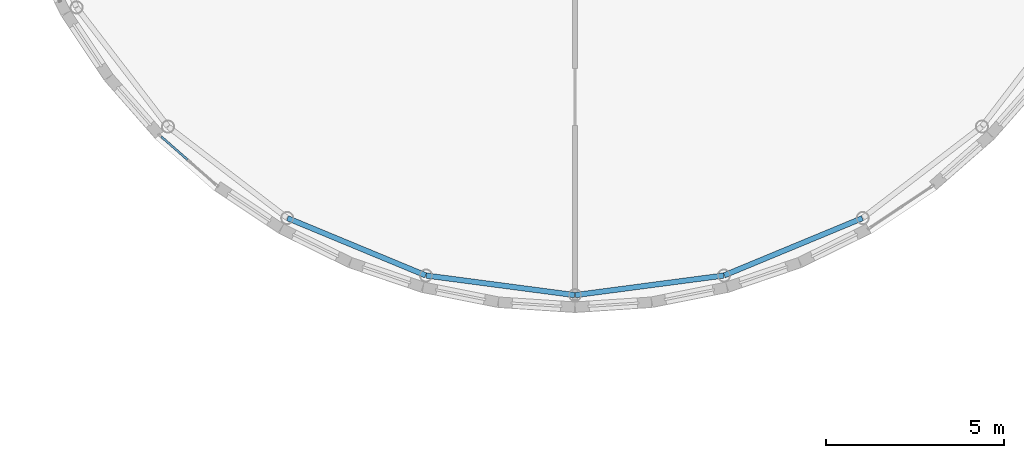
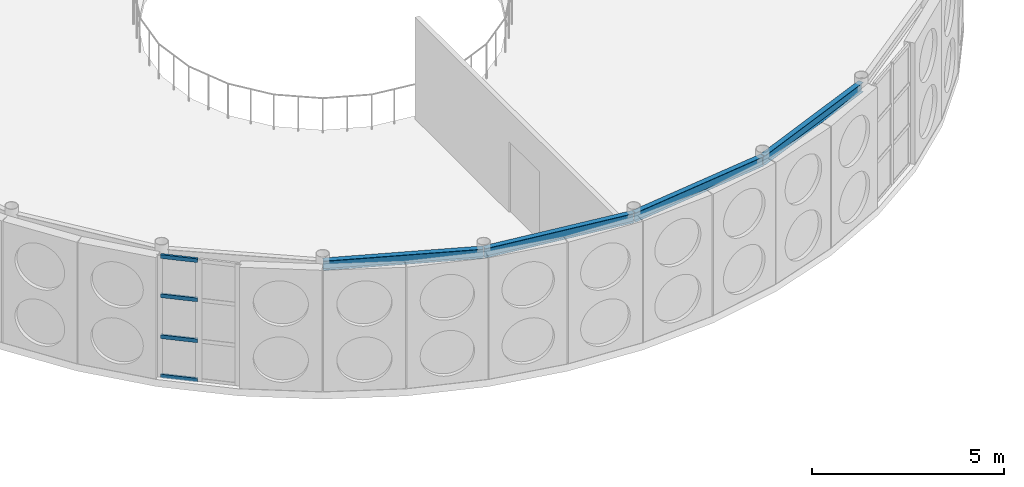
# One storey, part 48 of 165: 4 beams, 4 members, 1 element without a shape of its own.
"""IFC4 building model written with IfcOpenShell, lengths in metres."""

import ifcopenshell
import ifcopenshell.guid

model = None  # the IFC model being written
_history = None  # IfcOwnerHistory: only IFC2X3 demands one
_inside = {}  # id of a spatial element -> (the spatial element, [elements in it])
_under = {}  # id of a project, library or spatial element -> (it, [spatial elements below it])
_declared = {}  # id of a project -> (the project, [libraries it declares])
_typed = {}  # id of a type object -> (the type object, [elements of that type])
_made_of = {}  # id of a material, layer set ... -> (it, [elements and type objects made of it])


def new_model(schema):
    """Start an empty IFC model of exactly this schema.

    Asked for "IFC4X3", IfcOpenShell would pick the latest addendum, in which some entities
    have other attributes; the version numbers below select the first issue.
    IFC2X3 requires an IfcOwnerHistory on every rooted entity: one is made here for all.
    """
    global model, _history
    if schema == "IFC4X3":
        model = ifcopenshell.file(schema_version=(4, 3, 0, 0))
    else:
        model = ifcopenshell.file(schema=schema)
    _inside.clear()
    _under.clear()
    _declared.clear()
    _typed.clear()
    _made_of.clear()
    _history = None
    if model.schema == "IFC2X3":
        org = make("IfcOrganization", Name="unknown")
        user = make(
            "IfcPersonAndOrganization",
            ThePerson=make("IfcPerson", FamilyName="unknown"),
            TheOrganization=org,
        )
        app = make(
            "IfcApplication",
            ApplicationDeveloper=org,
            Version="unknown",
            ApplicationFullName="unknown",
            ApplicationIdentifier="unknown",
        )
        _history = make(
            "IfcOwnerHistory",
            OwningUser=user,
            OwningApplication=app,
            ChangeAction="ADDED",
            CreationDate=0,
        )
    return model


def make(cls, **values):
    """One entity of the class cls with the attributes given. An attribute that is None is left unset."""
    return model.create_entity(
        cls, **{name: value for name, value in values.items() if value is not None}
    )


def rooted(cls, **values):
    """An entity with a GlobalId (a new one), such as an element, a storey or a relation."""
    return make(cls, GlobalId=ifcopenshell.guid.new(), OwnerHistory=_history, **values)


def si_unit(unit_type, name, prefix=None):
    """IfcSIUnit, for example si_unit("LENGTHUNIT", "METRE", prefix="MILLI")."""
    return make("IfcSIUnit", UnitType=unit_type, Prefix=prefix, Name=name)


def assignment(units):
    """IfcUnitAssignment: the units of a project."""
    return None if units is None else make("IfcUnitAssignment", Units=units)


def point(xyz):
    """IfcCartesianPoint."""
    return None if xyz is None else make("IfcCartesianPoint", Coordinates=xyz)


def direction(xyz):
    """IfcDirection."""
    return None if xyz is None else make("IfcDirection", DirectionRatios=xyz)


def frame(location, z_axis=None, x_axis=None):
    """IfcAxis2Placement3D, a coordinate frame: its origin and axes. An axis left out is left unset."""
    return make(
        "IfcAxis2Placement3D",
        Location=point(location),
        Axis=direction(z_axis),
        RefDirection=direction(x_axis),
    )


def frame_2d(location, x_axis=None):
    """IfcAxis2Placement2D, a coordinate frame in the plane: its origin and x axis."""
    return make(
        "IfcAxis2Placement2D", Location=point(location), RefDirection=direction(x_axis)
    )


def origin():
    """The frame at (0, 0, 0) with its axes left unset."""
    return frame((0.0, 0.0, 0.0))


def origin_2d():
    """The frame at (0, 0) in the plane with its x axis left unset."""
    return frame_2d((0.0, 0.0))


def place(relative_to, where):
    """IfcLocalPlacement: puts the frame where relative to a parent placement (None: the world)."""
    return make(
        "IfcLocalPlacement", PlacementRelTo=relative_to, RelativePlacement=where
    )


def context(
    kind, dimensions, precision=None, world=None, true_north=None, identifier=None
):
    """IfcGeometricRepresentationContext, for example the 3D "Model" context."""
    return make(
        "IfcGeometricRepresentationContext",
        ContextIdentifier=identifier,
        ContextType=kind,
        CoordinateSpaceDimension=dimensions,
        Precision=precision,
        WorldCoordinateSystem=world,
        TrueNorth=true_north,
    )


def subcontext(parent, identifier, kind, view, scale=None):
    """IfcGeometricRepresentationSubContext, for example "Body" below "Model"."""
    return make(
        "IfcGeometricRepresentationSubContext",
        ContextIdentifier=identifier,
        ContextType=kind,
        ParentContext=parent,
        TargetScale=scale,
        TargetView=view,
    )


def project(units=None, contexts=None):
    """IfcProject with its units and contexts."""
    return rooted(
        "IfcProject",
        Name="project",
        RepresentationContexts=contexts,
        UnitsInContext=assignment(units),
    )


def spatial(cls, under=None, at=None, **own):
    """A site, building, storey or space (cls), placed at a placement, below another one or the project."""
    s = rooted(cls, ObjectPlacement=at, **own)
    if under is not None:
        _under.setdefault(under.id(), (under, []))[1].append(s)
    return s


def profile(cls, at=None, kind="AREA", **sizes):
    """A parametric profile (cls). Its sizes go by their IFC names, for example OverallWidth=200.0."""
    return make(cls, ProfileType=kind, Position=at, **sizes)


def hollow_rectangle(**sizes):
    """IfcRectangleHollowProfileDef."""
    return profile("IfcRectangleHollowProfileDef", **sizes)


def i_section(**sizes):
    """IfcIShapeProfileDef."""
    return profile("IfcIShapeProfileDef", **sizes)


def extrude(swept, where, along, depth):
    """IfcExtrudedAreaSolid: the profile swept, set in the frame where, extruded along a direction by depth."""
    return make(
        "IfcExtrudedAreaSolid",
        SweptArea=swept,
        Position=where,
        ExtrudedDirection=direction(along),
        Depth=depth,
    )


def shape(context_of_items, identifier, shape_type, items):
    """IfcShapeRepresentation: the items that make up one representation, for example the "Body"."""
    return make(
        "IfcShapeRepresentation",
        ContextOfItems=context_of_items,
        RepresentationIdentifier=identifier,
        RepresentationType=shape_type,
        Items=items,
    )


def material(Name=None, Category=None):
    """IfcMaterial."""
    return make("IfcMaterial", Name=Name, Category=Category)


def layer(
    of_material, thickness, ventilated=None, Name=None, Category=None, Priority=None
):
    """IfcMaterialLayer: one layer of a wall or slab, of a material (None: an air gap)."""
    return make(
        "IfcMaterialLayer",
        Material=of_material,
        LayerThickness=thickness,
        IsVentilated=ventilated,
        Name=Name,
        Category=Category,
        Priority=Priority,
    )


def layer_set(layers, Name=None):
    """IfcMaterialLayerSet."""
    return make("IfcMaterialLayerSet", MaterialLayers=layers, LayerSetName=Name)


def material_profile(
    of_material, cross_section, Name=None, Category=None, Priority=None
):
    """IfcMaterialProfile: a cross section and its material."""
    return make(
        "IfcMaterialProfile",
        Name=Name,
        Material=of_material,
        Profile=cross_section,
        Priority=Priority,
        Category=Category,
    )


def profile_set(profiles, Name=None, composite=None):
    """IfcMaterialProfileSet."""
    return make(
        "IfcMaterialProfileSet",
        Name=Name,
        MaterialProfiles=profiles,
        CompositeProfile=composite,
    )


def made_of(thing, what):
    """Note that an element or type object is made of a material, layer set ...; save() writes the relation."""
    if what is not None:
        _made_of.setdefault(what.id(), (what, []))[1].append(thing)
    return thing


def type_object(cls, material=None, **own):
    """A type object (cls), such as IfcWallType, which elements share."""
    return made_of(rooted(cls, **own), material)


def element(
    cls,
    number,
    at=None,
    inside=None,
    cuts=None,
    type_object=None,
    material=None,
    context=None,
    identifier="Body",
    shape_type=None,
    held_by="IfcProductDefinitionShape",
    body=None,
    shapes=None,
    **own,
):
    """One element of the class cls, such as IfcWall. Its Tag is "e" and its number.

    at: its placement. inside: the storey or other place that contains it. cuts: it is an
    opening in that element (IfcRelVoidsElement). A single representation is given by context,
    identifier, shape_type and body (its items); several are given by shapes. held_by: the class
    of the entity that holds the representations. save() writes the other relations.
    """
    e = rooted(cls, Tag="e%d" % number, ObjectPlacement=at, **own)
    if body is not None:
        shapes = [shape(context, identifier, shape_type, body)]
    if shapes is not None:
        e.Representation = make(held_by, Representations=shapes)
    if inside is not None:
        _inside.setdefault(inside.id(), (inside, []))[1].append(e)
    if cuts is not None:
        rooted(
            "IfcRelVoidsElement", RelatingBuildingElement=cuts, RelatedOpeningElement=e
        )
    if type_object is not None:
        _typed.setdefault(type_object.id(), (type_object, []))[1].append(e)
    return made_of(e, material)


def aggregate(whole, parts):
    """IfcRelAggregates: a whole, such as a stair, and the parts it consists of."""
    return rooted("IfcRelAggregates", RelatingObject=whole, RelatedObjects=parts)


def save(model, path):
    """Write the relations noted so far, then the file.

    IfcRelAggregates (storeys below a building ...), IfcRelContainedInSpatialStructure (elements
    in a storey), IfcRelDefinesByType, IfcRelAssociatesMaterial and IfcRelDeclares: one each for
    every whole, place, type object, material and project.
    """
    for whole, parts in _under.values():
        aggregate(whole, parts)
    for where, things in _inside.values():
        rooted(
            "IfcRelContainedInSpatialStructure",
            RelatedElements=things,
            RelatingStructure=where,
        )
    for kind, things in _typed.values():
        rooted("IfcRelDefinesByType", RelatedObjects=things, RelatingType=kind)
    for what, things in _made_of.values():
        rooted("IfcRelAssociatesMaterial", RelatedObjects=things, RelatingMaterial=what)
    for by, libraries in _declared.values():
        rooted("IfcRelDeclares", RelatingContext=by, RelatedDefinitions=libraries)
    model.write(path)


model = new_model("IFC4")

# Units and contexts
model_context = context("Model", 3, precision=1e-05, world=origin(), true_north=direction((0.0, 1.0)))
body_context = subcontext(model_context, "Body", "Model", "MODEL_VIEW")
ifc_project = project(units=[si_unit("LENGTHUNIT", "METRE"), si_unit("AREAUNIT", "SQUARE_METRE"), si_unit("VOLUMEUNIT", "CUBIC_METRE"), si_unit("PLANEANGLEUNIT", "RADIAN"), si_unit("MASSUNIT", "GRAM", prefix="KILO")], contexts=[model_context])

# Site, building, storey
site_placement = place(None, origin())
site = spatial("IfcSite", under=ifc_project, at=site_placement, CompositionType="ELEMENT")
building_placement = place(site_placement, origin())
building = spatial("IfcBuilding", under=site, at=building_placement, Name="Montecoro Central Library", CompositionType="ELEMENT")
storey_placement = place(building_placement, frame((0.0, 0.0, 5.10009765625)))
storey = spatial("IfcBuildingStorey", under=building, at=storey_placement, Name="L01", CompositionType="ELEMENT", Elevation=5.10009765625)

# Beams
ifc_material_1 = material(Name="Steel S355", Category="steel")
ifc_material_profile_1 = material_profile(ifc_material_1, i_section(OverallWidth=0.14990234375, OverallDepth=0.300048828125, WebThickness=0.007080078125, FlangeThickness=0.0107421875, at=origin_2d()), Name="IPE 300")
ifc_profile_set_1 = profile_set([ifc_material_profile_1], Name="Steel S355")
beam_type = type_object("IfcBeamType", Name="BM-SP-IPE300", PredefinedType="SPANDREL", material=ifc_profile_set_1)
for number, where, z_axis, x_axis, name in (
    (1, (83.51904296875, 21.384033203125, 3.704833984375), (0.923853323529, -0.382746700319, 0.0), (0.382746700319, 0.923853323529, 0.0), "V1-L01-RING-17"),
    (2, (87.422119140625, 19.77001953125, 3.704833984375), (0.99143412197, -0.130607740177, 0.0), (0.130607740177, 0.99143412197, 0.0), "V1-L01-RING-18"),
    (3, (91.610107421875, 19.220947265625, 3.704833984375), (0.99143412197, 0.130607740177, 0.0), (-0.130607740177, 0.99143412197, 0.0), "V1-L01-RING-19"),
):
    element("IfcBeam", number, at=place(storey_placement, frame(where, z_axis=z_axis, x_axis=x_axis)), inside=storey, type_object=beam_type, Name=name, PredefinedType="SPANDREL", context=body_context, shape_type="SweptSolid", body=[
        extrude(i_section(OverallWidth=0.14990234375, OverallDepth=0.300048828125, WebThickness=0.007080078125, FlangeThickness=0.0107421875, at=origin_2d()), origin(), (0.0, 0.0, 1.0), 4.2041015625),
    ])
beam_placement = place(storey_placement, frame((95.797119140625, 19.77490234375, 3.704833984375), z_axis=(0.923844815714, 0.382767235377, 0.0), x_axis=(-0.382767235377, 0.923844815714, 0.0)))
element("IfcBeam", 4, at=beam_placement, inside=storey, type_object=beam_type, Name="V1-L01-RING-20", PredefinedType="SPANDREL", context=body_context, shape_type="SweptSolid", body=[
    extrude(i_section(OverallWidth=0.14990234375, OverallDepth=0.300048828125, WebThickness=0.007080078125, FlangeThickness=0.0107421875, at=origin_2d()), origin(), (0.0, 0.0, 1.0), 4.203857421875),
])

# Curtain wall, members
ifc_material_2 = material(Name="Bronze-anodised aluminium and low-E glazing", Category="aluminium")
ifc_layer = layer(ifc_material_2, 0.159912109375)
ifc_layer_set = layer_set([ifc_layer], Name="Bronze-anodised aluminium and low-E glazing")
curtain_wall_type = type_object("IfcCurtainWallType", Name="CWT-003", PredefinedType="NOTDEFINED", material=ifc_layer_set)
curtain_wall_placement = place(storey_placement, origin())
curtain_wall = element("IfcCurtainWall", 5, at=curtain_wall_placement, inside=storey, type_object=curtain_wall_type, Name="V1-L01-CW-31", PredefinedType="NOTDEFINED")
ifc_material_3 = material(Name="Bronze-anodised aluminium", Category="aluminium")
ifc_material_profile_2 = material_profile(ifc_material_3, hollow_rectangle(XDim=0.06005859375, YDim=0.1201171875, WallThickness=0.00390625, at=origin_2d()), Name="CWT 120x60x4.0")
ifc_profile_set_2 = profile_set([ifc_material_profile_2], Name="Bronze-anodised aluminium")
member_type = type_object("IfcMemberType", Name="CWT-BRZ-60", PredefinedType="USERDEFINED", material=ifc_profile_set_2)
member_1_placement = place(storey_placement, frame((79.969970703125, 23.67431640625, 0.02978515625), z_axis=(0.751698595953, -0.65950680121, 0.0), x_axis=(0.65950680121, 0.751698595953, 0.0)))
member_1 = element("IfcMember", 6, at=member_1_placement, type_object=member_type, Name="CW-003 transom 1.1", ObjectType="TRANSOM", PredefinedType="USERDEFINED", context=body_context, shape_type="SweptSolid", body=[
    extrude(hollow_rectangle(XDim=0.06005859375, YDim=0.1201171875, WallThickness=0.00390625, at=origin_2d()), origin(), (0.0, 0.0, 1.0), 0.982421875),
])
member_2_placement = place(storey_placement, frame((79.969970703125, 23.67431640625, 1.27978515625), z_axis=(0.751698595953, -0.65950680121, 0.0), x_axis=(0.65950680121, 0.751698595953, 0.0)))
member_2 = element("IfcMember", 7, at=member_2_placement, type_object=member_type, Name="CW-003 transom 1.2", ObjectType="TRANSOM", PredefinedType="USERDEFINED", context=body_context, shape_type="SweptSolid", body=[
    extrude(hollow_rectangle(XDim=0.06005859375, YDim=0.1201171875, WallThickness=0.00390625, at=origin_2d()), origin(), (0.0, 0.0, 1.0), 0.982421875),
])
member_3_placement = place(storey_placement, frame((79.969970703125, 23.67431640625, 2.579833984375), z_axis=(0.751698595953, -0.65950680121, 0.0), x_axis=(0.65950680121, 0.751698595953, 0.0)))
member_3 = element("IfcMember", 8, at=member_3_placement, type_object=member_type, Name="CW-003 transom 1.3", ObjectType="TRANSOM", PredefinedType="USERDEFINED", context=body_context, shape_type="SweptSolid", body=[
    extrude(hollow_rectangle(XDim=0.06005859375, YDim=0.1201171875, WallThickness=0.00390625, at=origin_2d()), origin(), (0.0, 0.0, 1.0), 0.982421875),
])
member_4_placement = place(storey_placement, frame((79.969970703125, 23.67431640625, 3.824951171875), z_axis=(0.751698595953, -0.65950680121, 0.0), x_axis=(0.65950680121, 0.751698595953, 0.0)))
member_4 = element("IfcMember", 9, at=member_4_placement, type_object=member_type, Name="CW-003 transom 1.4", ObjectType="TRANSOM", PredefinedType="USERDEFINED", context=body_context, shape_type="SweptSolid", body=[
    extrude(hollow_rectangle(XDim=0.06005859375, YDim=0.1201171875, WallThickness=0.00390625, at=origin_2d()), origin(), (0.0, 0.0, 1.0), 0.982421875),
])
aggregate(curtain_wall, [member_1, member_2, member_3, member_4])

save(model, "model.ifc")
